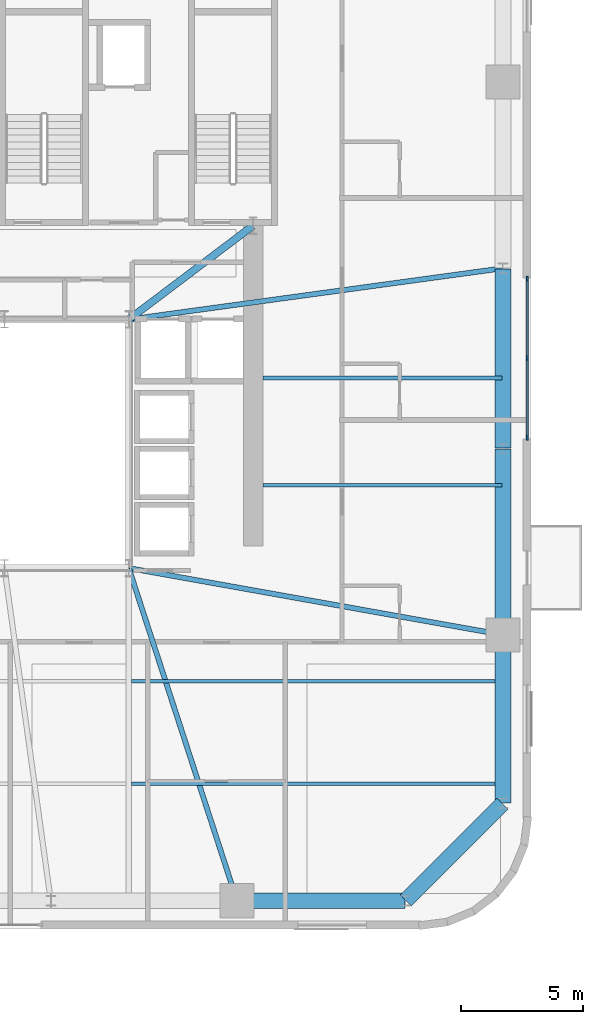
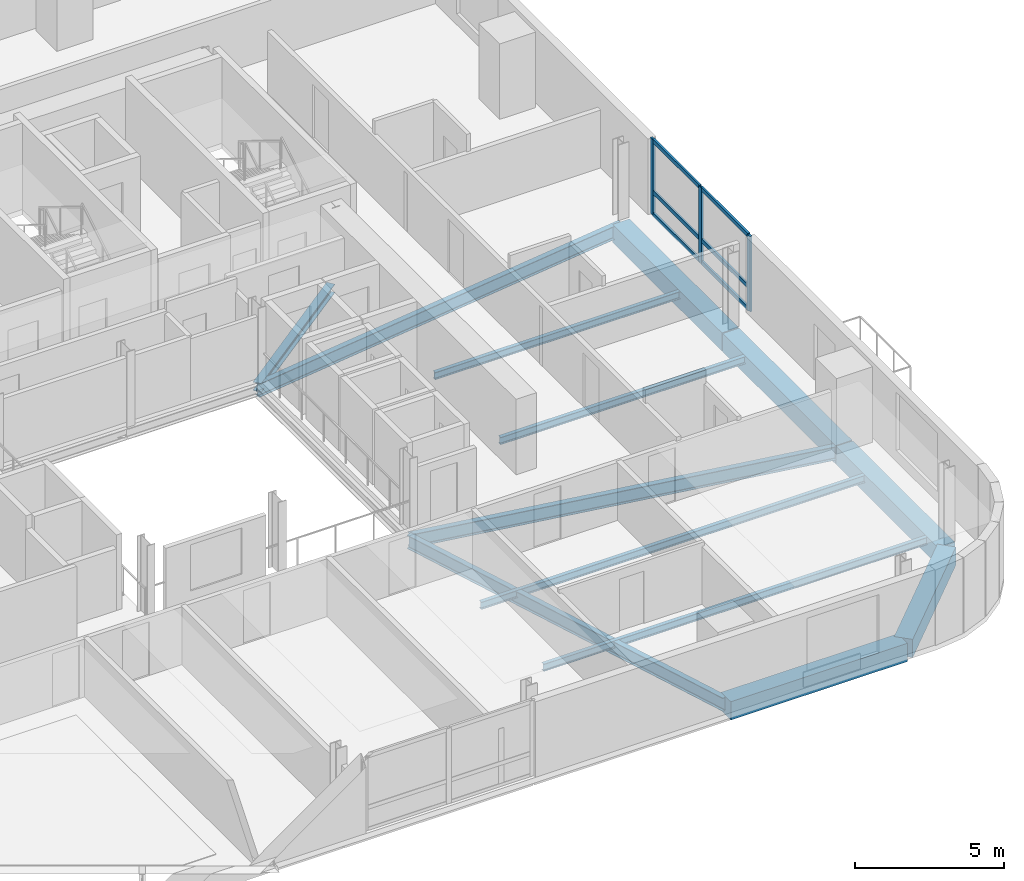
# One storey, part 4 of 13: 13 beams, 9 members, 1 element without a shape of its own.
"""IFC4 building model written with IfcOpenShell, lengths in metres."""

from ifc_helpers import new_model, si_unit, direction, frame, origin, origin_2d, place, context, subcontext, project, spatial, rectangle, i_section, extrude, source, transform, mapped, material, material_profile, profile_set, type_object, element, aggregate, save


model = new_model("IFC4")

# Units and contexts
model_context = context("Model", 3, precision=1e-05, world=origin(), true_north=direction((0.0, 1.0)))
body_context = subcontext(model_context, "Body", "Model", "MODEL_VIEW")
ifc_project = project(units=[si_unit("LENGTHUNIT", "METRE"), si_unit("AREAUNIT", "SQUARE_METRE"), si_unit("VOLUMEUNIT", "CUBIC_METRE"), si_unit("PLANEANGLEUNIT", "RADIAN"), si_unit("MASSUNIT", "GRAM", prefix="KILO")], contexts=[model_context])

# Site, building, storey
site_placement = place(None, origin())
site = spatial("IfcSite", under=ifc_project, at=site_placement, CompositionType="ELEMENT")
building_placement = place(site_placement, origin())
building = spatial("IfcBuilding", under=site, at=building_placement, Name="Vardaveli Station Tower", CompositionType="ELEMENT")
storey_placement = place(building_placement, frame((0.0, 0.0, 233.550048828125)))
storey = spatial("IfcBuildingStorey", under=building, at=storey_placement, Name="L60", CompositionType="ELEMENT", Elevation=233.550048828125)

# Beams
ifc_material_1 = material(Name="Structural steel S355J2", Category="steel")
ifc_material_profile_1 = material_profile(ifc_material_1, i_section(OverallWidth=0.300048828125, OverallDepth=0.360107421875, WebThickness=0.012451171875, FlangeThickness=0.0224609375, FilletRadius=0.027099609375, at=origin_2d()), Name="HEB 360")
ifc_profile_set_1 = profile_set([ifc_material_profile_1], Name="Structural steel S355J2")
beam_type_1 = type_object("IfcBeamType", Name="BM-HEB360", PredefinedType="BEAM", material=ifc_profile_set_1)
shared_shape_1 = source(origin(), body_context, "Body", "SweptSolid", [
    extrude(i_section(OverallWidth=0.300048828125, OverallDepth=0.360107421875, WebThickness=0.012451171875, FlangeThickness=0.0224609375, FilletRadius=0.027099609375, at=origin_2d()), origin(), (0.0, 0.0, 1.0), 6.35009765625),
])
beam_1_placement = place(storey_placement, frame((41.416015625, 26.81201171875, -0.400146484375), z_axis=(0.798118337722, 0.602500721154, 0.0), x_axis=(-0.602500721154, 0.798118337722, 0.0)))
element("IfcBeam", 1, at=beam_1_placement, inside=storey, type_object=beam_type_1, Name="CBM-L60-02", PredefinedType="BEAM", context=body_context, shape_type="MappedRepresentation", body=[
    mapped(shared_shape_1, transform((0.0, 0.0, 0.0), scale=1.0)),
])
ifc_material_2 = material(Name="Precast concrete C45/55", Category="concrete")
ifc_material_profile_2 = material_profile(ifc_material_2, rectangle(XDim=0.64990234375, YDim=0.75, at=origin_2d()), Name="LPB 650x750")
ifc_profile_set_2 = profile_set([ifc_material_profile_2], Name="Precast concrete C45/55")
beam_type_2 = type_object("IfcBeamType", Name="BM-LPB-750", PredefinedType="BEAM", material=ifc_profile_set_2)
shared_shape_2 = source(origin(), body_context, "Body", "SweptSolid", [
    extrude(rectangle(XDim=0.64990234375, YDim=0.75, at=origin_2d()), origin(), (0.0, 0.0, 1.0), 7.60009765625),
])
beam_2_placement = place(storey_placement, frame((56.75, 13.8798828125, -0.594970703125), z_axis=(0.0, 1.0, 0.0), x_axis=(-1.0, 0.0, 0.0)))
element("IfcBeam", 2, at=beam_2_placement, inside=storey, type_object=beam_type_2, Name="RBM-L60-07", PredefinedType="BEAM", context=body_context, shape_type="MappedRepresentation", body=[
    mapped(shared_shape_2, transform((0.0, 0.0, 0.0), scale=1.0)),
])
shared_shape_3 = source(origin(), body_context, "Body", "SweptSolid", [
    extrude(rectangle(XDim=0.64990234375, YDim=0.75, at=origin_2d()), origin(), (0.0, 0.0, 1.0), 7.35986328125),
])
beam_3_placement = place(storey_placement, frame((56.75, 21.52001953125, -0.594970703125), z_axis=(0.0, 1.0, 0.0), x_axis=(-1.0, 0.0, 0.0)))
element("IfcBeam", 3, at=beam_3_placement, inside=storey, type_object=beam_type_2, Name="RBM-L60-08", PredefinedType="BEAM", context=body_context, shape_type="MappedRepresentation", body=[
    mapped(shared_shape_3, transform((0.0, 0.0, 0.0), scale=1.0)),
])
shared_shape_4 = source(origin(), body_context, "Body", "SweptSolid", [
    extrude(rectangle(XDim=0.64990234375, YDim=0.75, at=origin_2d()), origin(), (0.0, 0.0, 1.0), 6.869873046875),
])
beam_4_placement = place(storey_placement, frame((45.860107421875, 2.949951171875, -0.594970703125), z_axis=(1.0, 0.0, 0.0), x_axis=(0.0, 1.0, 0.0)))
element("IfcBeam", 4, at=beam_4_placement, inside=storey, type_object=beam_type_2, Name="RBM-L60-04", PredefinedType="BEAM", context=body_context, shape_type="MappedRepresentation", body=[
    mapped(shared_shape_4, transform((0.0, 0.0, 0.0), scale=1.0)),
])
shared_shape_5 = source(origin(), body_context, "Body", "SweptSolid", [
    extrude(rectangle(XDim=0.64990234375, YDim=0.75, at=origin_2d()), origin(), (0.0, 0.0, 1.0), 5.61669921875),
])
beam_5_placement = place(storey_placement, frame((52.76416015625, 2.964111328125, -0.594970703125), z_axis=(0.707106781187, 0.707106781187, 0.0), x_axis=(-0.707106781187, 0.707106781187, 0.0)))
element("IfcBeam", 5, at=beam_5_placement, inside=storey, type_object=beam_type_2, Name="RBM-L60-05", PredefinedType="BEAM", context=body_context, shape_type="MappedRepresentation", body=[
    mapped(shared_shape_5, transform((0.0, 0.0, 0.0), scale=1.0)),
])
shared_shape_6 = source(origin(), body_context, "Body", "SweptSolid", [
    extrude(rectangle(XDim=0.64990234375, YDim=0.75, at=origin_2d()), origin(), (0.0, 0.0, 1.0), 6.8701171875),
])
beam_6_placement = place(storey_placement, frame((56.75, 6.969970703125, -0.594970703125), z_axis=(0.0, 1.0, 0.0), x_axis=(-1.0, 0.0, 0.0)))
element("IfcBeam", 6, at=beam_6_placement, inside=storey, type_object=beam_type_2, Name="RBM-L60-06", PredefinedType="BEAM", context=body_context, shape_type="MappedRepresentation", body=[
    mapped(shared_shape_6, transform((0.0, 0.0, 0.0), scale=1.0)),
])
ifc_material_profile_3 = material_profile(ifc_material_1, i_section(OverallWidth=0.2099609375, OverallDepth=0.550048828125, WebThickness=0.010986328125, FlangeThickness=0.01708984375, FilletRadius=0.02392578125, at=origin_2d()), Name="IPE 550")
ifc_profile_set_3 = profile_set([ifc_material_profile_3], Name="Structural steel S355J2")
beam_type_3 = type_object("IfcBeamType", Name="BM-IPE550", PredefinedType="BEAM", material=ifc_profile_set_3)
shared_shape_7 = source(origin(), body_context, "Body", "SweptSolid", [
    extrude(i_section(OverallWidth=0.2099609375, OverallDepth=0.550048828125, WebThickness=0.010986328125, FlangeThickness=0.01708984375, FilletRadius=0.02392578125, at=origin_2d()), origin(), (0.0, 0.0, 1.0), 14.31396484375),
])
beam_7_placement = place(storey_placement, frame((45.833740234375, 2.968994140625, -0.4951171875), z_axis=(-0.309311678023, 0.950960717295, 0.0), x_axis=(-0.950960717295, -0.309311678023, 0.0)))
element("IfcBeam", 7, at=beam_7_placement, inside=storey, type_object=beam_type_3, Name="GBM-L60-04", PredefinedType="BEAM", context=body_context, shape_type="MappedRepresentation", body=[
    mapped(shared_shape_7, transform((0.0, 0.0, 0.0), scale=1.0)),
])
shared_shape_8 = source(origin(), body_context, "Body", "SweptSolid", [
    extrude(i_section(OverallWidth=0.2099609375, OverallDepth=0.550048828125, WebThickness=0.010986328125, FlangeThickness=0.01708984375, FilletRadius=0.02392578125, at=origin_2d()), origin(), (0.0, 0.0, 1.0), 15.552490234375),
])
beam_8_placement = place(storey_placement, frame((56.730224609375, 13.863525390625, -0.4951171875), z_axis=(-0.984439991578, 0.1757210943, 0.0), x_axis=(-0.1757210943, -0.984439991578, 0.0)))
element("IfcBeam", 8, at=beam_8_placement, inside=storey, type_object=beam_type_3, Name="GBM-L60-05", PredefinedType="BEAM", context=body_context, shape_type="MappedRepresentation", body=[
    mapped(shared_shape_8, transform((0.0, 0.0, 0.0), scale=1.0)),
])
shared_shape_9 = source(origin(), body_context, "Body", "SweptSolid", [
    extrude(i_section(OverallWidth=0.2099609375, OverallDepth=0.550048828125, WebThickness=0.010986328125, FlangeThickness=0.01708984375, FilletRadius=0.02392578125, at=origin_2d()), origin(), (0.0, 0.0, 1.0), 15.452880859375),
])
beam_9_placement = place(storey_placement, frame((56.730224609375, 28.897216796875, -0.4951171875), z_axis=(-0.99077191151, -0.135539733521, 0.0), x_axis=(0.135539733521, -0.99077191151, 0.0)))
element("IfcBeam", 9, at=beam_9_placement, inside=storey, type_object=beam_type_3, Name="GBM-L60-07", PredefinedType="BEAM", context=body_context, shape_type="MappedRepresentation", body=[
    mapped(shared_shape_9, transform((0.0, 0.0, 0.0), scale=1.0)),
])
ifc_material_profile_4 = material_profile(ifc_material_1, i_section(OverallWidth=0.14990234375, OverallDepth=0.300048828125, WebThickness=0.007080078125, FlangeThickness=0.0107421875, FilletRadius=0.014892578125, at=origin_2d()), Name="IPE 300")
ifc_profile_set_4 = profile_set([ifc_material_profile_4], Name="Structural steel S355J2")
beam_type_4 = type_object("IfcBeamType", Name="BM-IPE300", PredefinedType="JOIST", material=ifc_profile_set_4)
shared_shape_10 = source(origin(), body_context, "Body", "SweptSolid", [
    extrude(i_section(OverallWidth=0.14990234375, OverallDepth=0.300048828125, WebThickness=0.007080078125, FlangeThickness=0.0107421875, FilletRadius=0.014892578125, at=origin_2d()), origin(), (0.0, 0.0, 1.0), 15.197998046875),
])
for number, where, z_axis, x_axis, name in (
    (10, (41.511962890625, 7.75, -0.3701171875), (1.0, 0.0, 0.0), (0.0, 1.0, 0.0), "SJ-L60-S02"),
    (11, (41.511962890625, 11.949951171875, -0.3701171875), (1.0, 0.0, 0.0), (0.0, 1.0, 0.0), "SJ-L60-S04"),
):
    element("IfcBeam", number, at=place(storey_placement, frame(where, z_axis=z_axis, x_axis=x_axis)), inside=storey, type_object=beam_type_4, Name=name, PredefinedType="JOIST", context=body_context, shape_type="MappedRepresentation", body=[
        mapped(shared_shape_10, transform((0.0, 0.0, 0.0), scale=1.0)),
    ])
shared_shape_11 = source(origin(), body_context, "Body", "SweptSolid", [
    extrude(i_section(OverallWidth=0.14990234375, OverallDepth=0.300048828125, WebThickness=0.007080078125, FlangeThickness=0.0107421875, FilletRadius=0.014892578125, at=origin_2d()), origin(), (0.0, 0.0, 1.0), 9.804931640625),
])
for number, where, z_axis, x_axis, name in (
    (12, (46.905029296875, 20.0, -0.3701171875), (1.0, 0.0, 0.0), (0.0, 1.0, 0.0), "SJ-L60-E07"),
    (13, (46.905029296875, 24.39990234375, -0.3701171875), (1.0, 0.0, 0.0), (0.0, 1.0, 0.0), "SJ-L60-E08"),
):
    element("IfcBeam", number, at=place(storey_placement, frame(where, z_axis=z_axis, x_axis=x_axis)), inside=storey, type_object=beam_type_4, Name=name, PredefinedType="JOIST", context=body_context, shape_type="MappedRepresentation", body=[
        mapped(shared_shape_11, transform((0.0, 0.0, 0.0), scale=1.0)),
    ])

# Curtain wall, members
ifc_material_3 = material(Name="Travertine stone and solar-control glass", Category="masonry")
curtain_wall_type = type_object("IfcCurtainWallType", Name="CW-SYS-5", PredefinedType="NOTDEFINED", material=ifc_material_3)
curtain_wall_placement = place(storey_placement, origin())
curtain_wall = element("IfcCurtainWall", 14, at=curtain_wall_placement, inside=storey, type_object=curtain_wall_type, Name="CW-L60-E", PredefinedType="NOTDEFINED")
ifc_material_4 = material(Name="Anodised aluminium alloy 6063-T6", Category="aluminium")
ifc_material_profile_5 = material_profile(ifc_material_4, rectangle(XDim=0.080078125, YDim=0.1650390625, at=origin_2d()), Name="CWT 80x165")
ifc_profile_set_5 = profile_set([ifc_material_profile_5], Name="Anodised aluminium alloy 6063-T6")
member_type_1 = type_object("IfcMemberType", Name="CW-SYS-5-TRAN", PredefinedType="NOTDEFINED", material=ifc_profile_set_5)
shared_shape_12 = source(origin(), body_context, "Body", "SweptSolid", [
    extrude(rectangle(XDim=0.080078125, YDim=0.1650390625, at=origin_2d()), origin(), (0.0, 0.0, 1.0), 3.179931640625),
])
member_1_placement = place(storey_placement, frame((57.739990234375, 21.97998046875, 0.0400390625), z_axis=(0.0, 1.0, 0.0), x_axis=(-1.0, 0.0, 0.0)))
member_1 = element("IfcMember", 15, at=member_1_placement, type_object=member_type_1, Name="CW-5 transom 1.1", ObjectType="TRANSOM", PredefinedType="USERDEFINED", context=body_context, shape_type="MappedRepresentation", body=[
    mapped(shared_shape_12, transform((0.0, 0.0, 0.0), scale=1.0)),
])
member_2_placement = place(storey_placement, frame((57.739990234375, 21.97998046875, 0.949951171875), z_axis=(0.0, 1.0, 0.0), x_axis=(-1.0, 0.0, 0.0)))
member_2 = element("IfcMember", 16, at=member_2_placement, type_object=member_type_1, Name="CW-5 transom 1.2", ObjectType="TRANSOM", PredefinedType="USERDEFINED", context=body_context, shape_type="MappedRepresentation", body=[
    mapped(shared_shape_12, transform((0.0, 0.0, 0.0), scale=1.0)),
])
member_3_placement = place(storey_placement, frame((57.739990234375, 21.97998046875, 3.06005859375), z_axis=(0.0, 1.0, 0.0), x_axis=(-1.0, 0.0, 0.0)))
member_3 = element("IfcMember", 17, at=member_3_placement, type_object=member_type_1, Name="CW-5 transom 1.3", ObjectType="TRANSOM", PredefinedType="USERDEFINED", context=body_context, shape_type="MappedRepresentation", body=[
    mapped(shared_shape_12, transform((0.0, 0.0, 0.0), scale=1.0)),
])
member_4_placement = place(storey_placement, frame((57.739990234375, 25.239990234375, 0.0400390625), z_axis=(0.0, 1.0, 0.0), x_axis=(-1.0, 0.0, 0.0)))
member_4 = element("IfcMember", 18, at=member_4_placement, type_object=member_type_1, Name="CW-5 transom 2.1", ObjectType="TRANSOM", PredefinedType="USERDEFINED", context=body_context, shape_type="MappedRepresentation", body=[
    mapped(shared_shape_12, transform((0.0, 0.0, 0.0), scale=1.0)),
])
member_5_placement = place(storey_placement, frame((57.739990234375, 25.239990234375, 0.949951171875), z_axis=(0.0, 1.0, 0.0), x_axis=(-1.0, 0.0, 0.0)))
member_5 = element("IfcMember", 19, at=member_5_placement, type_object=member_type_1, Name="CW-5 transom 2.2", ObjectType="TRANSOM", PredefinedType="USERDEFINED", context=body_context, shape_type="MappedRepresentation", body=[
    mapped(shared_shape_12, transform((0.0, 0.0, 0.0), scale=1.0)),
])
member_6_placement = place(storey_placement, frame((57.739990234375, 25.239990234375, 3.06005859375), z_axis=(0.0, 1.0, 0.0), x_axis=(-1.0, 0.0, 0.0)))
member_6 = element("IfcMember", 20, at=member_6_placement, type_object=member_type_1, Name="CW-5 transom 2.3", ObjectType="TRANSOM", PredefinedType="USERDEFINED", context=body_context, shape_type="MappedRepresentation", body=[
    mapped(shared_shape_12, transform((0.0, 0.0, 0.0), scale=1.0)),
])
ifc_material_profile_6 = material_profile(ifc_material_4, rectangle(XDim=0.080078125, YDim=0.205078125, at=origin_2d()), Name="CWM 80x205")
ifc_profile_set_6 = profile_set([ifc_material_profile_6], Name="Anodised aluminium alloy 6063-T6")
member_type_2 = type_object("IfcMemberType", Name="CW-SYS-5-MULL", PredefinedType="MULLION", material=ifc_profile_set_6)
shared_shape_13 = source(origin(), body_context, "Body", "SweptSolid", [
    extrude(rectangle(XDim=0.080078125, YDim=0.205078125, at=origin_2d()), origin(), (0.0, 0.0, 1.0), 3.099853515625),
])
member_7_placement = place(storey_placement, frame((57.739990234375, 21.93994140625, 0.0), z_axis=(0.0, 0.0, 1.0), x_axis=(-1.0, 0.0, 0.0)))
member_7 = element("IfcMember", 21, at=member_7_placement, type_object=member_type_2, Name="CW-5 mullion 1", PredefinedType="MULLION", context=body_context, shape_type="MappedRepresentation", body=[
    mapped(shared_shape_13, transform((0.0, 0.0, 0.0), scale=1.0)),
])
member_8_placement = place(storey_placement, frame((57.739990234375, 25.199951171875, 0.0), z_axis=(0.0, 0.0, 1.0), x_axis=(-1.0, 0.0, 0.0)))
member_8 = element("IfcMember", 22, at=member_8_placement, type_object=member_type_2, Name="CW-5 mullion 2", PredefinedType="MULLION", context=body_context, shape_type="MappedRepresentation", body=[
    mapped(shared_shape_13, transform((0.0, 0.0, 0.0), scale=1.0)),
])
member_9_placement = place(storey_placement, frame((57.739990234375, 28.4599609375, 0.0), z_axis=(0.0, 0.0, 1.0), x_axis=(-1.0, 0.0, 0.0)))
member_9 = element("IfcMember", 23, at=member_9_placement, type_object=member_type_2, Name="CW-5 mullion 3", PredefinedType="MULLION", context=body_context, shape_type="MappedRepresentation", body=[
    mapped(shared_shape_13, transform((0.0, 0.0, 0.0), scale=1.0)),
])
aggregate(curtain_wall, [member_7, member_8, member_9, member_1, member_2, member_3, member_4, member_5, member_6])

save(model, "model.ifc")
